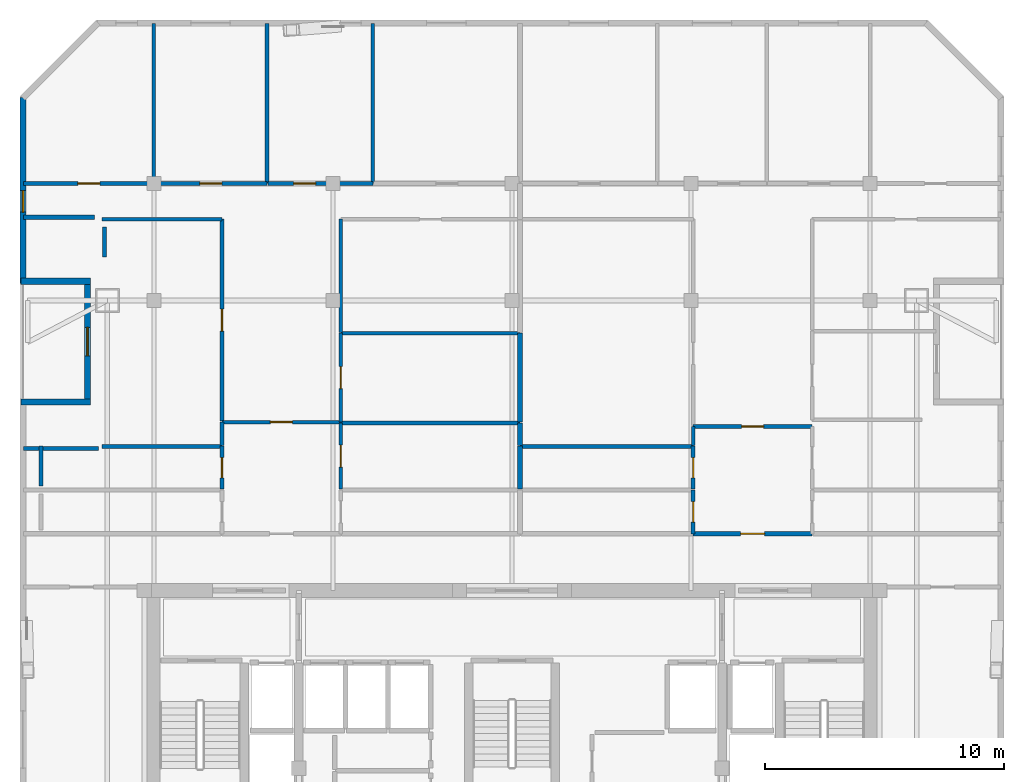
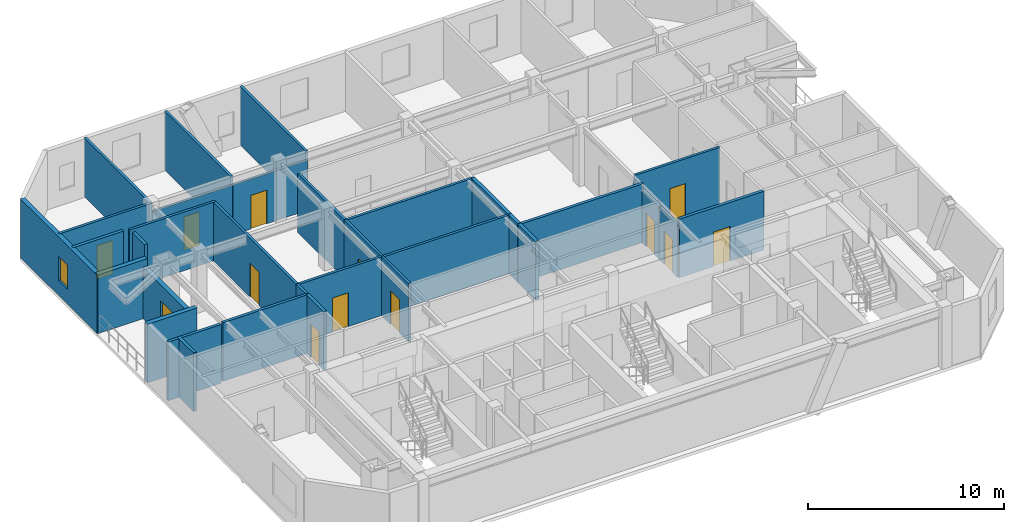
# One storey, part 4 of 7: 34 walls, 13 doors, 1 window, 14 openings.
"""IFC4 building model written with IfcOpenShell, lengths in metres."""

from ifc_helpers import new_model, si_unit, direction, frame, frame_2d, origin, place, context, subcontext, project, spatial, rectangle, extrude, material, layer, layer_set, type_object, element, fill, save


model = new_model("IFC4")

# Units and contexts
model_context = context("Model", 3, precision=1e-05, world=origin(), true_north=direction((0.0, 1.0)))
body_context = subcontext(model_context, "Body", "Model", "MODEL_VIEW")
ifc_project = project(units=[si_unit("LENGTHUNIT", "METRE"), si_unit("AREAUNIT", "SQUARE_METRE"), si_unit("VOLUMEUNIT", "CUBIC_METRE"), si_unit("PLANEANGLEUNIT", "RADIAN"), si_unit("MASSUNIT", "GRAM", prefix="KILO")], contexts=[model_context])

# Site, building, storey
site_placement = place(None, origin())
site = spatial("IfcSite", under=ifc_project, at=site_placement, CompositionType="ELEMENT")
building_placement = place(site_placement, origin())
building = spatial("IfcBuilding", under=site, at=building_placement, Name="Ventersveld Concourse Tower", CompositionType="ELEMENT")
storey_placement = place(building_placement, frame((0.0, 0.0, 268.300048828125)))
storey = spatial("IfcBuildingStorey", under=building, at=storey_placement, Name="L66", CompositionType="ELEMENT", Elevation=268.300048828125)

# Wall, opening, door
ifc_material_1 = material(Name="Fire-rated autoclaved aerated masonry blockwork", Category="masonry")
ifc_layer_1 = layer(ifc_material_1, 0.179931640625)
ifc_layer_set_1 = layer_set([ifc_layer_1], Name="Fire-rated autoclaved aerated masonry blockwork")
wall_type_1 = type_object("IfcWallType", Name="WL-CORR-180", PredefinedType="PARTITIONING", material=ifc_layer_set_1)
wall_1_placement = place(storey_placement, frame((36.333984375, 13.830078125, 0.0), z_axis=(0.0, 0.0, 1.0), x_axis=(1.0, 0.0, 0.0)))
wall_1 = element("IfcWall", 1, at=wall_1_placement, inside=storey, type_object=wall_type_1, Name="L66 Interior Partition SP-L66-COR-SP-L66-66N2-FOY", PredefinedType="PARTITIONING", context=body_context, shape_type="SweptSolid", body=[
    extrude(rectangle(XDim=4.989990234375, YDim=0.179931640625, at=frame_2d((2.4951171875, 0.0))), origin(), (0.0, 0.0, 1.0), 3.64990234375),
])
opening_1_placement = place(wall_1_placement, frame((1.9951171875, 0.0, 0.0)))
opening_1 = element("IfcOpeningElement", 2, at=opening_1_placement, cuts=wall_1, Name="Opening FD3", PredefinedType="OPENING", context=body_context, shape_type="SweptSolid", body=[
    extrude(rectangle(XDim=1.0, YDim=2.14990234375, at=frame_2d((0.5, 1.074951171875))), frame((0.0, 0.10009765625, 0.0), z_axis=(0.0, -1.0, 0.0), x_axis=(1.0, 0.0, 0.0)), (0.0, 0.0, 1.0), 0.199951171875),
])
ifc_material_2 = material(Name="Solid-core hardwood veneer timber", Category="wood")
door_type_1 = type_object("IfcDoorType", Name="DR-FLAT-100", OperationType="NOTDEFINED", PredefinedType="DOOR", material=ifc_material_2)
door_1_placement = place(opening_1_placement, origin())
door_1 = element("IfcDoor", 3, at=door_1_placement, inside=storey, type_object=door_type_1, Name="L66 Interior Door SP-L66-COR to SP-L66-66N2-FOY (FD-L66-3106)", OperationType="SINGLE_SWING_RIGHT", OverallHeight=2.14990234375, OverallWidth=1.0, PredefinedType="DOOR", context=body_context, shape_type="SweptSolid", body=[
    extrude(rectangle(XDim=1.0, YDim=2.14990234375, at=frame_2d((0.5, 1.074951171875))), frame((0.0, 0.02490234375, 0.0), z_axis=(0.0, -1.0, 0.0), x_axis=(1.0, 0.0, 0.0)), (0.0, 0.0, 1.0), 0.050048828125),
])
fill(opening_1, door_1)

# Walls
wall_2_placement = place(storey_placement, frame((11.27001953125, 27.090087890625, 0.0), z_axis=(0.0, 0.0, 1.0), x_axis=(-1.0, 0.0, 0.0)))
element("IfcWall", 4, at=wall_2_placement, inside=storey, type_object=wall_type_1, Name="L66 Room Enclosure Wall SP-L66-66N1-LIV", PredefinedType="PARTITIONING", context=body_context, shape_type="SweptSolid", body=[
    extrude(rectangle(XDim=2.980712890625, YDim=0.179931640625, at=frame_2d((1.490234375, 0.0))), origin(), (0.0, 0.0, 1.0), 3.64990234375),
])
wall_3_placement = place(storey_placement, frame((11.6796875, 25.41650390625, 0.0), z_axis=(0.0, 0.0, 1.0), x_axis=(0.0, 1.0, 0.0)))
element("IfcWall", 5, at=wall_3_placement, inside=storey, type_object=wall_type_1, Name="L66 Room Enclosure Wall SP-L66-66N1-OFFL0", PredefinedType="PARTITIONING", context=body_context, shape_type="SweptSolid", body=[
    extrude(rectangle(XDim=1.258544921875, YDim=0.179931640625, at=frame_2d((0.62939453125, 0.0))), origin(), (0.0, 0.0, 1.0), 3.64990234375),
])
ifc_layer_2 = layer(ifc_material_1, 0.199951171875)
ifc_layer_set_2 = layer_set([ifc_layer_2], Name="Fire-rated autoclaved aerated masonry blockwork")
wall_type_2 = type_object("IfcWallType", Name="WL-DEMISE-200", PredefinedType="PARTITIONING", material=ifc_layer_set_2)
wall_4_placement = place(storey_placement, frame((29.087890625, 15.695068359375, 0.0), z_axis=(0.0, 0.0, 1.0), x_axis=(0.0, 1.0, 0.0)))
element("IfcWall", 6, at=wall_4_placement, inside=storey, type_object=wall_type_2, Name="L66 Interior Partition SP-L66-66N1-MEDR1-SP-L66-66N2-PWDL2", PredefinedType="PARTITIONING", context=body_context, shape_type="SweptSolid", body=[
    extrude(rectangle(XDim=1.800048828125, YDim=0.199951171875, at=frame_2d((0.89990234375, 0.0))), origin(), (0.0, 0.0, 1.0), 3.64990234375),
])
wall_5_placement = place(storey_placement, frame((29.087890625, 17.52490234375, 0.0), z_axis=(0.0, 0.0, 1.0), x_axis=(0.0, 1.0, 0.0)))
element("IfcWall", 7, at=wall_5_placement, inside=storey, type_object=wall_type_2, Name="L66 Interior Partition SP-L66-66N1-MEDR1-SP-L66-66N2-OFFL0", PredefinedType="PARTITIONING", context=body_context, shape_type="SweptSolid", body=[
    extrude(rectangle(XDim=0.947509765625, YDim=0.199951171875, at=frame_2d((0.4736328125, 0.0))), origin(), (0.0, 0.0, 1.0), 3.64990234375),
])
wall_6_placement = place(storey_placement, frame((29.087890625, 18.50244140625, 0.0), z_axis=(0.0, 0.0, 1.0), x_axis=(0.0, 1.0, 0.0)))
element("IfcWall", 8, at=wall_6_placement, inside=storey, type_object=wall_type_2, Name="L66 Interior Partition SP-L66-66N1-DENS-SP-L66-66N2-OFFL0", PredefinedType="PARTITIONING", context=body_context, shape_type="SweptSolid", body=[
    extrude(rectangle(XDim=3.735595703125, YDim=0.199951171875, at=frame_2d((1.86767578125, 0.0))), origin(), (0.0, 0.0, 1.0), 3.64990234375),
])

# Wall, opening, door
ifc_material_3 = material(Name="Autoclaved aerated masonry blockwork", Category="masonry")
ifc_layer_3 = layer(ifc_material_3, 0.14990234375)
ifc_layer_set_3 = layer_set([ifc_layer_3], Name="Autoclaved aerated masonry blockwork")
wall_type_3 = type_object("IfcWallType", Name="WL-INT-150", PredefinedType="PARTITIONING", material=ifc_layer_set_3)
wall_7_placement = place(storey_placement, frame((16.596923828125, 18.50732421875, 0.0), z_axis=(0.0, 0.0, 1.0), x_axis=(1.0, 0.0, 0.0)))
wall_7 = element("IfcWall", 9, at=wall_7_placement, inside=storey, type_object=wall_type_3, Name="L66 Interior Partition SP-L66-66N1-FOY-SP-L66-66N1-LIV", PredefinedType="PARTITIONING", context=body_context, shape_type="SweptSolid", body=[
    extrude(rectangle(XDim=4.989990234375, YDim=0.14990234375, at=frame_2d((2.4951171875, 0.0))), origin(), (0.0, 0.0, 1.0), 3.64990234375),
])
opening_2_placement = place(wall_7_placement, frame((2.034912109375, 0.0, 0.0)))
opening_2 = element("IfcOpeningElement", 10, at=opening_2_placement, cuts=wall_7, Name="Opening ID1", PredefinedType="OPENING", context=body_context, shape_type="SweptSolid", body=[
    extrude(rectangle(XDim=0.919921875, YDim=2.10009765625, at=frame_2d((0.4599609375, 1.050048828125))), frame((0.0, 0.0849609375, 0.0), z_axis=(0.0, -1.0, 0.0), x_axis=(1.0, 0.0, 0.0)), (0.0, 0.0, 1.0), 0.169921875),
])
door_type_2 = type_object("IfcDoorType", Name="DR-ROOM-092", OperationType="NOTDEFINED", PredefinedType="DOOR", material=ifc_material_2)
door_2_placement = place(opening_2_placement, origin())
door_2 = element("IfcDoor", 11, at=door_2_placement, inside=storey, type_object=door_type_2, Name="L66 Interior Door SP-L66-66N1-FOY to SP-L66-66N1-LIV (D-L66-3107)", OperationType="SINGLE_SWING_LEFT", OverallHeight=2.10009765625, OverallWidth=0.919921875, PredefinedType="DOOR", context=body_context, shape_type="SweptSolid", body=[
    extrude(rectangle(XDim=0.919921875, YDim=2.10009765625, at=frame_2d((0.4599609375, 1.050048828125))), frame((0.0, 0.02490234375, 0.0), z_axis=(0.0, -1.0, 0.0), x_axis=(1.0, 0.0, 0.0)), (0.0, 0.0, 1.0), 0.050048828125),
])
fill(opening_2, door_2)

# Wall
wall_8_placement = place(storey_placement, frame((16.601806640625, 17.52490234375, 0.0), z_axis=(0.0, 0.0, 1.0), x_axis=(0.0, 1.0, 0.0)))
element("IfcWall", 12, at=wall_8_placement, inside=storey, type_object=wall_type_3, Name="L66 Interior Partition SP-L66-66N1-FOY-SP-L66-66N1-OFFL0", PredefinedType="PARTITIONING", context=body_context, shape_type="SweptSolid", body=[
    extrude(rectangle(XDim=0.9873046875, YDim=0.14990234375, at=frame_2d((0.49365234375, 0.0))), origin(), (0.0, 0.0, 1.0), 3.64990234375),
])

# Wall, opening, door
wall_9_placement = place(storey_placement, frame((21.581787109375, 15.695068359375, 0.0), z_axis=(0.0, 0.0, 1.0), x_axis=(0.0, 1.0, 0.0)))
wall_9 = element("IfcWall", 13, at=wall_9_placement, inside=storey, type_object=wall_type_3, Name="L66 Interior Partition SP-L66-66N1-FOY-SP-L66-66N1-MEDR1", PredefinedType="PARTITIONING", context=body_context, shape_type="SweptSolid", body=[
    extrude(rectangle(XDim=2.77734375, YDim=0.14990234375, at=frame_2d((1.388671875, 0.0))), origin(), (0.0, 0.0, 1.0), 3.64990234375),
])
opening_3_placement = place(wall_9_placement, frame((0.9287109375, 0.0, 0.0)))
opening_3 = element("IfcOpeningElement", 14, at=opening_3_placement, cuts=wall_9, Name="Opening ID1", PredefinedType="OPENING", context=body_context, shape_type="SweptSolid", body=[
    extrude(rectangle(XDim=0.919921875, YDim=2.10009765625, at=frame_2d((0.4599609375, 1.050048828125))), frame((0.0, 0.0849609375, 0.0), z_axis=(0.0, -1.0, 0.0), x_axis=(1.0, 0.0, 0.0)), (0.0, 0.0, 1.0), 0.169921875),
])
door_3_placement = place(opening_3_placement, origin())
door_3 = element("IfcDoor", 15, at=door_3_placement, inside=storey, type_object=door_type_2, Name="L66 Interior Door SP-L66-66N1-FOY to SP-L66-66N1-MEDR1 (D-L66-3111)", OperationType="SINGLE_SWING_LEFT", OverallHeight=2.10009765625, OverallWidth=0.919921875, PredefinedType="DOOR", context=body_context, shape_type="SweptSolid", body=[
    extrude(rectangle(XDim=0.919921875, YDim=2.10009765625, at=frame_2d((0.4599609375, 1.050048828125))), frame((0.0, 0.02490234375, 0.0), z_axis=(0.0, -1.0, 0.0), x_axis=(1.0, 0.0, 0.0)), (0.0, 0.0, 1.0), 0.050048828125),
])
fill(opening_3, door_3)

wall_10_placement = place(storey_placement, frame((16.601806640625, 18.542236328125, 0.0), z_axis=(0.0, 0.0, 1.0), x_axis=(0.0, 1.0, 0.0)))
wall_10 = element("IfcWall", 16, at=wall_10_placement, inside=storey, type_object=wall_type_3, Name="L66 Interior Partition SP-L66-66N1-LIV-SP-L66-66N1-OFFL0", PredefinedType="PARTITIONING", context=body_context, shape_type="SweptSolid", body=[
    extrude(rectangle(XDim=8.462646484375, YDim=0.14990234375, at=frame_2d((4.2314453125, 0.0))), origin(), (0.0, 0.0, 1.0), 3.64990234375),
])
opening_4_placement = place(wall_10_placement, frame((3.771240234375, 0.0, 0.0)))
opening_4 = element("IfcOpeningElement", 17, at=opening_4_placement, cuts=wall_10, Name="Opening ID1", PredefinedType="OPENING", context=body_context, shape_type="SweptSolid", body=[
    extrude(rectangle(XDim=0.919921875, YDim=2.10009765625, at=frame_2d((0.4599609375, 1.050048828125))), frame((0.0, 0.0849609375, 0.0), z_axis=(0.0, -1.0, 0.0), x_axis=(1.0, 0.0, 0.0)), (0.0, 0.0, 1.0), 0.169921875),
])
door_4_placement = place(opening_4_placement, origin())
door_4 = element("IfcDoor", 18, at=door_4_placement, inside=storey, type_object=door_type_2, Name="L66 Interior Door SP-L66-66N1-LIV to SP-L66-66N1-OFFL0 (D-L66-3112)", OperationType="SINGLE_SWING_RIGHT", OverallHeight=2.10009765625, OverallWidth=0.919921875, PredefinedType="DOOR", context=body_context, shape_type="SweptSolid", body=[
    extrude(rectangle(XDim=0.919921875, YDim=2.10009765625, at=frame_2d((0.4599609375, 1.050048828125))), frame((0.0, 0.02490234375, 0.0), z_axis=(0.0, -1.0, 0.0), x_axis=(1.0, 0.0, 0.0)), (0.0, 0.0, 1.0), 0.050048828125),
])
fill(opening_4, door_4)

# Wall
wall_11_placement = place(storey_placement, frame((11.584716796875, 27.0, 0.0), z_axis=(0.0, 0.0, 1.0), x_axis=(1.0, 0.0, 0.0)))
element("IfcWall", 19, at=wall_11_placement, inside=storey, type_object=wall_type_3, Name="L66 Interior Partition SP-L66-66N1-LIV-SP-L66-66N1-OFFL0", PredefinedType="PARTITIONING", context=body_context, shape_type="SweptSolid", body=[
    extrude(rectangle(XDim=5.022216796875, YDim=0.14990234375, at=frame_2d((2.51123046875, 0.0))), origin(), (0.0, 0.0, 1.0), 3.64990234375),
])

# Wall, opening, door
wall_12_placement = place(storey_placement, frame((21.581787109375, 18.50244140625, 0.0), z_axis=(0.0, 0.0, 1.0), x_axis=(0.0, 1.0, 0.0)))
wall_12 = element("IfcWall", 20, at=wall_12_placement, inside=storey, type_object=wall_type_3, Name="L66 Interior Partition SP-L66-66N1-LIV-SP-L66-66N1-DENS", PredefinedType="PARTITIONING", context=body_context, shape_type="SweptSolid", body=[
    extrude(rectangle(XDim=3.735595703125, YDim=0.14990234375, at=frame_2d((1.86767578125, 0.0))), origin(), (0.0, 0.0, 1.0), 3.64990234375),
])
opening_5_placement = place(wall_12_placement, frame((1.40771484375, 0.0, 0.0)))
opening_5 = element("IfcOpeningElement", 21, at=opening_5_placement, cuts=wall_12, Name="Opening ID1", PredefinedType="OPENING", context=body_context, shape_type="SweptSolid", body=[
    extrude(rectangle(XDim=0.919921875, YDim=2.10009765625, at=frame_2d((0.4599609375, 1.050048828125))), frame((0.0, 0.0849609375, 0.0), z_axis=(0.0, -1.0, 0.0), x_axis=(1.0, 0.0, 0.0)), (0.0, 0.0, 1.0), 0.169921875),
])
door_5_placement = place(opening_5_placement, origin())
door_5 = element("IfcDoor", 22, at=door_5_placement, inside=storey, type_object=door_type_2, Name="L66 Interior Door SP-L66-66N1-LIV to SP-L66-66N1-DENS (D-L66-3113)", OperationType="SINGLE_SWING_LEFT", OverallHeight=2.10009765625, OverallWidth=0.919921875, PredefinedType="DOOR", context=body_context, shape_type="SweptSolid", body=[
    extrude(rectangle(XDim=0.919921875, YDim=2.10009765625, at=frame_2d((0.4599609375, 1.050048828125))), frame((0.0, 0.02490234375, 0.0), z_axis=(0.0, -1.0, 0.0), x_axis=(1.0, 0.0, 0.0)), (0.0, 0.0, 1.0), 0.050048828125),
])
fill(opening_5, door_5)

# Wall
wall_13_placement = place(storey_placement, frame((21.581787109375, 22.26806640625, 0.0), z_axis=(0.0, 0.0, 1.0), x_axis=(0.0, 1.0, 0.0)))
element("IfcWall", 23, at=wall_13_placement, inside=storey, type_object=wall_type_3, Name="L66 Interior Partition SP-L66-66N1-LIV-SP-L66-66N1-DENS2", PredefinedType="PARTITIONING", context=body_context, shape_type="SweptSolid", body=[
    extrude(rectangle(XDim=4.73681640625, YDim=0.14990234375, at=frame_2d((2.368408203125, 0.0))), origin(), (0.0, 0.0, 1.0), 3.64990234375),
])

# Wall, opening, door
wall_14_placement = place(storey_placement, frame((8.289306640625, 28.5, 0.0), z_axis=(0.0, 0.0, 1.0), x_axis=(1.0, 0.0, 0.0)))
wall_14 = element("IfcWall", 24, at=wall_14_placement, inside=storey, type_object=wall_type_3, Name="L66 Interior Partition SP-L66-66N1-LIV-SP-L66-66N1-BR1", PredefinedType="PARTITIONING", context=body_context, shape_type="SweptSolid", body=[
    extrude(rectangle(XDim=5.465576171875, YDim=0.14990234375, at=frame_2d((2.73291015625, 0.0))), origin(), (0.0, 0.0, 1.0), 3.64990234375),
])
opening_6_placement = place(wall_14_placement, frame((2.27294921875, 0.0, 0.0)))
opening_6 = element("IfcOpeningElement", 25, at=opening_6_placement, cuts=wall_14, Name="Opening ID1", PredefinedType="OPENING", context=body_context, shape_type="SweptSolid", body=[
    extrude(rectangle(XDim=0.919921875, YDim=2.10009765625, at=frame_2d((0.4599609375, 1.050048828125))), frame((0.0, 0.0849609375, 0.0), z_axis=(0.0, -1.0, 0.0), x_axis=(1.0, 0.0, 0.0)), (0.0, 0.0, 1.0), 0.169921875),
])
door_6_placement = place(opening_6_placement, origin())
door_6 = element("IfcDoor", 26, at=door_6_placement, inside=storey, type_object=door_type_2, Name="L66 Interior Door SP-L66-66N1-LIV to SP-L66-66N1-BR1 (D-L66-3115)", OperationType="SINGLE_SWING_LEFT", OverallHeight=2.10009765625, OverallWidth=0.919921875, PredefinedType="DOOR", context=body_context, shape_type="SweptSolid", body=[
    extrude(rectangle(XDim=0.919921875, YDim=2.10009765625, at=frame_2d((0.4599609375, 1.050048828125))), frame((0.0, 0.02490234375, 0.0), z_axis=(0.0, -1.0, 0.0), x_axis=(1.0, 0.0, 0.0)), (0.0, 0.0, 1.0), 0.050048828125),
])
fill(opening_6, door_6)

wall_15_placement = place(storey_placement, frame((13.784912109375, 28.5, 0.0), z_axis=(0.0, 0.0, 1.0), x_axis=(1.0, 0.0, 0.0)))
wall_15 = element("IfcWall", 27, at=wall_15_placement, inside=storey, type_object=wall_type_3, Name="L66 Interior Partition SP-L66-66N1-LIV-SP-L66-66N1-BR2", PredefinedType="PARTITIONING", context=body_context, shape_type="SweptSolid", body=[
    extrude(rectangle(XDim=4.705810546875, YDim=0.14990234375, at=frame_2d((2.35302734375, 0.0))), origin(), (0.0, 0.0, 1.0), 3.10546875),
])
opening_7_placement = place(wall_15_placement, frame((1.892822265625, 0.0, 0.0)))
opening_7 = element("IfcOpeningElement", 28, at=opening_7_placement, cuts=wall_15, Name="Opening ID1", PredefinedType="OPENING", context=body_context, shape_type="SweptSolid", body=[
    extrude(rectangle(XDim=0.919921875, YDim=2.10009765625, at=frame_2d((0.4599609375, 1.050048828125))), frame((0.0, 0.0849609375, 0.0), z_axis=(0.0, -1.0, 0.0), x_axis=(1.0, 0.0, 0.0)), (0.0, 0.0, 1.0), 0.169921875),
])
door_7_placement = place(opening_7_placement, origin())
door_7 = element("IfcDoor", 29, at=door_7_placement, inside=storey, type_object=door_type_2, Name="L66 Interior Door SP-L66-66N1-LIV to SP-L66-66N1-BR2 (D-L66-3116)", OperationType="SINGLE_SWING_RIGHT", OverallHeight=2.10009765625, OverallWidth=0.919921875, PredefinedType="DOOR", context=body_context, shape_type="SweptSolid", body=[
    extrude(rectangle(XDim=0.919921875, YDim=2.10009765625, at=frame_2d((0.4599609375, 1.050048828125))), frame((0.0, 0.02490234375, 0.0), z_axis=(0.0, -1.0, 0.0), x_axis=(1.0, 0.0, 0.0)), (0.0, 0.0, 1.0), 0.050048828125),
])
fill(opening_7, door_7)

wall_16_placement = place(storey_placement, frame((18.520751953125, 28.5, 0.0), z_axis=(0.0, 0.0, 1.0), x_axis=(1.0, 0.0, 0.0)))
wall_16 = element("IfcWall", 30, at=wall_16_placement, inside=storey, type_object=wall_type_3, Name="L66 Interior Partition SP-L66-66N1-LIV-SP-L66-66N1-BR3", PredefinedType="PARTITIONING", context=body_context, shape_type="SweptSolid", body=[
    extrude(rectangle(XDim=4.402099609375, YDim=0.14990234375, at=frame_2d((2.201171875, 0.0))), origin(), (0.0, 0.0, 1.0), 3.10546875),
])
opening_8_placement = place(wall_16_placement, frame((1.080810546875, 0.0, 0.0)))
opening_8 = element("IfcOpeningElement", 31, at=opening_8_placement, cuts=wall_16, Name="Opening ID1", PredefinedType="OPENING", context=body_context, shape_type="SweptSolid", body=[
    extrude(rectangle(XDim=0.919921875, YDim=2.10009765625, at=frame_2d((0.4599609375, 1.050048828125))), frame((0.0, 0.0849609375, 0.0), z_axis=(0.0, -1.0, 0.0), x_axis=(1.0, 0.0, 0.0)), (0.0, 0.0, 1.0), 0.169921875),
])
door_8_placement = place(opening_8_placement, origin())
door_8 = element("IfcDoor", 32, at=door_8_placement, inside=storey, type_object=door_type_2, Name="L66 Interior Door SP-L66-66N1-LIV to SP-L66-66N1-BR3 (D-L66-3117)", OperationType="SINGLE_SWING_LEFT", OverallHeight=2.10009765625, OverallWidth=0.919921875, PredefinedType="DOOR", context=body_context, shape_type="SweptSolid", body=[
    extrude(rectangle(XDim=0.919921875, YDim=2.10009765625, at=frame_2d((0.4599609375, 1.050048828125))), frame((0.0, 0.02490234375, 0.0), z_axis=(0.0, -1.0, 0.0), x_axis=(1.0, 0.0, 0.0)), (0.0, 0.0, 1.0), 0.050048828125),
])
fill(opening_8, door_8)

# Walls
for number, where, z_axis, x_axis, name in (
    (33, (21.576904296875, 18.467529296875, 0.0), (0.0, 0.0, 1.0), (1.0, 0.0, 0.0), "L66 Interior Partition SP-L66-66N1-MEDR1-SP-L66-66N1-DENS"),
    (34, (21.576904296875, 22.233154296875, 0.0), (0.0, 0.0, 1.0), (1.0, 0.0, 0.0), "L66 Interior Partition SP-L66-66N1-DENS-SP-L66-66N1-DENS2"),
):
    element("IfcWall", number, at=place(storey_placement, frame(where, z_axis=z_axis, x_axis=x_axis)), inside=storey, type_object=wall_type_3, Name=name, PredefinedType="PARTITIONING", context=body_context, shape_type="SweptSolid", body=[
        extrude(rectangle(XDim=7.515869140625, YDim=0.14990234375, at=frame_2d((3.7578125, 0.0))), origin(), (0.0, 0.0, 1.0), 3.64990234375),
    ])
for number, where, z_axis, x_axis, name in (
    (35, (13.75, 28.4951171875, 0.0), (0.0, 0.0, 1.0), (0.0, 1.0, 0.0), "L66 Interior Partition SP-L66-66N1-BR1-SP-L66-66N1-BR2"),
    (36, (18.48583984375, 28.4951171875, 0.0), (0.0, 0.0, 1.0), (0.0, 1.0, 0.0), "L66 Interior Partition SP-L66-66N1-BR2-SP-L66-66N1-BR3"),
    (37, (22.91796875, 28.4951171875, 0.0), (0.0, 0.0, 1.0), (0.0, 1.0, 0.0), "L66 Interior Partition SP-L66-66N1-BR3-SP-L66-66N1-BR4"),
):
    element("IfcWall", number, at=place(storey_placement, frame(where, z_axis=z_axis, x_axis=x_axis)), inside=storey, type_object=wall_type_3, Name=name, PredefinedType="PARTITIONING", context=body_context, shape_type="SweptSolid", body=[
        extrude(rectangle(XDim=6.704833984375, YDim=0.14990234375, at=frame_2d((3.3525390625, 0.0))), origin(), (0.0, 0.0, 1.0), 3.64990234375),
    ])

# Wall, opening, door
wall_17_placement = place(storey_placement, frame((36.333984375, 18.321533203125, 0.0), z_axis=(0.0, 0.0, 1.0), x_axis=(1.0, 0.0, 0.0)))
wall_17 = element("IfcWall", 38, at=wall_17_placement, inside=storey, type_object=wall_type_3, Name="L66 Interior Partition SP-L66-66N2-FOY-SP-L66-66N2-LIV", PredefinedType="PARTITIONING", context=body_context, shape_type="SweptSolid", body=[
    extrude(rectangle(XDim=4.989990234375, YDim=0.14990234375, at=frame_2d((2.4951171875, 0.0))), origin(), (0.0, 0.0, 1.0), 3.64990234375),
])
opening_9_placement = place(wall_17_placement, frame((2.034912109375, 0.0, 0.0)))
opening_9 = element("IfcOpeningElement", 39, at=opening_9_placement, cuts=wall_17, Name="Opening ID1", PredefinedType="OPENING", context=body_context, shape_type="SweptSolid", body=[
    extrude(rectangle(XDim=0.919921875, YDim=2.10009765625, at=frame_2d((0.4599609375, 1.050048828125))), frame((0.0, 0.0849609375, 0.0), z_axis=(0.0, -1.0, 0.0), x_axis=(1.0, 0.0, 0.0)), (0.0, 0.0, 1.0), 0.169921875),
])
door_9_placement = place(opening_9_placement, origin())
door_9 = element("IfcDoor", 40, at=door_9_placement, inside=storey, type_object=door_type_2, Name="L66 Interior Door SP-L66-66N2-FOY to SP-L66-66N2-LIV (D-L66-3119)", OperationType="SINGLE_SWING_LEFT", OverallHeight=2.10009765625, OverallWidth=0.919921875, PredefinedType="DOOR", context=body_context, shape_type="SweptSolid", body=[
    extrude(rectangle(XDim=0.919921875, YDim=2.10009765625, at=frame_2d((0.4599609375, 1.050048828125))), frame((0.0, 0.02490234375, 0.0), z_axis=(0.0, -1.0, 0.0), x_axis=(1.0, 0.0, 0.0)), (0.0, 0.0, 1.0), 0.050048828125),
])
fill(opening_9, door_9)

# Wall
wall_18_placement = place(storey_placement, frame((36.339111328125, 17.52490234375, 0.0), z_axis=(0.0, 0.0, 1.0), x_axis=(0.0, 1.0, 0.0)))
element("IfcWall", 41, at=wall_18_placement, inside=storey, type_object=wall_type_3, Name="L66 Interior Partition SP-L66-66N2-FOY-SP-L66-66N2-OFFL0", PredefinedType="PARTITIONING", context=body_context, shape_type="SweptSolid", body=[
    extrude(rectangle(XDim=0.801513671875, YDim=0.14990234375, at=frame_2d((0.40087890625, 0.0))), origin(), (0.0, 0.0, 1.0), 3.294921875),
])

# Wall, opening, window
ifc_material_4 = material(Name="Precast concrete C45/55", Category="concrete")
ifc_layer_4 = layer(ifc_material_4, 0.260009765625)
ifc_layer_set_4 = layer_set([ifc_layer_4], Name="Precast concrete C45/55")
wall_type_4 = type_object("IfcWallType", Name="WL-PREC-260", PredefinedType="SOLIDWALL", material=ifc_layer_set_4)
wall_19_placement = place(storey_placement, frame((8.269775390625, 32.109375, 0.0), z_axis=(0.0, 0.0, 1.0), x_axis=(0.0, -1.0, 0.0)))
wall_19 = element("IfcWall", 42, at=wall_19_placement, inside=storey, type_object=wall_type_4, Name="L66 Highveld Precast Facade Wall E11", PredefinedType="SOLIDWALL", context=body_context, shape_type="SweptSolid", body=[
    extrude(rectangle(XDim=7.794677734375, YDim=0.260009765625, at=frame_2d((3.8974609375, 0.0))), origin(), (0.0, 0.0, 1.0), 3.64990234375),
])
opening_10_placement = place(wall_19_placement, frame((3.909423828125, 0.0, 0.949951171875)))
opening_10 = element("IfcOpeningElement", 43, at=opening_10_placement, cuts=wall_19, Name="Opening W4", PredefinedType="OPENING", context=body_context, shape_type="SweptSolid", body=[
    extrude(rectangle(XDim=0.89990234375, YDim=1.5, at=frame_2d((0.449951171875, 0.75))), frame((0.0, 0.14013671875, 0.0), z_axis=(0.0, -1.0, 0.0), x_axis=(1.0, 0.0, 0.0)), (0.0, 0.0, 1.0), 0.280029296875),
])
ifc_material_5 = material(Name="Tempered acoustic Low-E IGU", Category="glass")
window_type = type_object("IfcWindowType", Name="WIN-090x150", PartitioningType="SINGLE_PANEL", PredefinedType="WINDOW", material=ifc_material_5)
window_placement = place(opening_10_placement, origin())
window = element("IfcWindow", 44, at=window_placement, inside=storey, type_object=window_type, Name="L66 Punched Low-E Window W-0937", OverallHeight=1.5, OverallWidth=0.89990234375, PartitioningType="SINGLE_PANEL", PredefinedType="WINDOW", context=body_context, shape_type="SweptSolid", body=[
    extrude(rectangle(XDim=0.89990234375, YDim=1.5, at=frame_2d((0.449951171875, 0.75))), frame((0.0, 0.030029296875, 0.0), z_axis=(0.0, -1.0, 0.0), x_axis=(1.0, 0.0, 0.0)), (0.0, 0.0, 1.0), 0.06005859375),
])
fill(opening_10, window)

# Wall
wall_20_placement = place(storey_placement, frame((8.1796875, 24.40478515625, 0.0), z_axis=(0.0, 0.0, 1.0), x_axis=(1.0, 0.0, 0.0)))
element("IfcWall", 45, at=wall_20_placement, inside=storey, type_object=wall_type_4, Name="L66 Highveld Precast Facade Wall E12", PredefinedType="SOLIDWALL", context=body_context, shape_type="SweptSolid", body=[
    extrude(rectangle(XDim=2.920166015625, YDim=0.260009765625, at=frame_2d((1.4599609375, 0.0))), origin(), (0.0, 0.0, 1.0), 3.64990234375),
])

# Wall, opening, door
wall_21_placement = place(storey_placement, frame((10.9697265625, 24.274658203125, 0.0), z_axis=(0.0, 0.0, 1.0), x_axis=(0.0, -1.0, 0.0)))
wall_21 = element("IfcWall", 46, at=wall_21_placement, inside=storey, type_object=wall_type_4, Name="L66 Highveld Precast Facade Wall E13", PredefinedType="SOLIDWALL", context=body_context, shape_type="SweptSolid", body=[
    extrude(rectangle(XDim=4.800048828125, YDim=0.260009765625, at=frame_2d((2.39990234375, 0.0))), origin(), (0.0, 0.0, 1.0), 3.18994140625),
])
opening_11_placement = place(wall_21_placement, frame((1.800048828125, 0.0, 0.0)))
opening_11 = element("IfcOpeningElement", 47, at=opening_11_placement, cuts=wall_21, Name="Opening TD1", PredefinedType="OPENING", context=body_context, shape_type="SweptSolid", body=[
    extrude(rectangle(XDim=1.199951171875, YDim=2.199951171875, at=frame_2d((0.60009765625, 1.10009765625))), frame((0.0, 0.14013671875, 0.0), z_axis=(0.0, -1.0, 0.0), x_axis=(1.0, 0.0, 0.0)), (0.0, 0.0, 1.0), 0.280029296875),
])
ifc_material_6 = material(Name="Anodised aluminium EN AW-6063-T6", Category="aluminium")
door_type_3 = type_object("IfcDoorType", Name="DR-TERR-120", OperationType="NOTDEFINED", PredefinedType="DOOR", material=ifc_material_6)
door_10_placement = place(opening_11_placement, frame((1.199951171875, 0.0, 0.0), z_axis=(0.0, 0.0, 1.0), x_axis=(-1.0, 0.0, 0.0)))
door_10 = element("IfcDoor", 48, at=door_10_placement, inside=storey, type_object=door_type_3, Name="L66 Stepped Valley Terrace Door TD-L66-01", OperationType="SINGLE_SWING_LEFT", OverallHeight=2.199951171875, OverallWidth=1.199951171875, PredefinedType="DOOR", context=body_context, shape_type="SweptSolid", body=[
    extrude(rectangle(XDim=1.199951171875, YDim=2.199951171875, at=frame_2d((0.60009765625, 1.10009765625))), frame((0.0, 0.02490234375, 0.0), z_axis=(0.0, -1.0, 0.0), x_axis=(1.0, 0.0, 0.0)), (0.0, 0.0, 1.0), 0.050048828125),
])
fill(opening_11, door_10)

# Wall
wall_22_placement = place(storey_placement, frame((11.099853515625, 19.3447265625, 0.0), z_axis=(0.0, 0.0, 1.0), x_axis=(-1.0, 0.0, 0.0)))
element("IfcWall", 49, at=wall_22_placement, inside=storey, type_object=wall_type_4, Name="L66 Highveld Precast Facade Wall E14", PredefinedType="SOLIDWALL", context=body_context, shape_type="SweptSolid", body=[
    extrude(rectangle(XDim=2.920166015625, YDim=0.260009765625, at=frame_2d((1.4599609375, 0.0))), origin(), (0.0, 0.0, 1.0), 3.64990234375),
])

# Wall, opening, door
ifc_layer_5 = layer(ifc_material_3, 0.1650390625)
ifc_layer_set_5 = layer_set([ifc_layer_5], Name="Autoclaved aerated masonry blockwork")
wall_type_5 = type_object("IfcWallType", Name="WL-WET-165", PredefinedType="PLUMBINGWALL", material=ifc_layer_set_5)
wall_23_placement = place(storey_placement, frame((16.601806640625, 15.695068359375, 0.0), z_axis=(0.0, 0.0, 1.0), x_axis=(0.0, 1.0, 0.0)))
wall_23 = element("IfcWall", 50, at=wall_23_placement, inside=storey, type_object=wall_type_5, Name="L66 Interior Partition SP-L66-66N1-FOY-SP-L66-66N1-PWDL2", PredefinedType="PLUMBINGWALL", context=body_context, shape_type="SweptSolid", body=[
    extrude(rectangle(XDim=1.800048828125, YDim=0.1650390625, at=frame_2d((0.89990234375, 0.0))), origin(), (0.0, 0.0, 1.0), 3.64990234375),
])
opening_12_placement = place(wall_23_placement, frame((0.47509765625, 0.0, 0.0)))
opening_12 = element("IfcOpeningElement", 51, at=opening_12_placement, cuts=wall_23, Name="Opening ID2", PredefinedType="OPENING", context=body_context, shape_type="SweptSolid", body=[
    extrude(rectangle(XDim=0.85009765625, YDim=2.10009765625, at=frame_2d((0.425048828125, 1.050048828125))), frame((0.0, 0.092529296875, 0.0), z_axis=(0.0, -1.0, 0.0), x_axis=(1.0, 0.0, 0.0)), (0.0, 0.0, 1.0), 0.18505859375),
])
door_type_4 = type_object("IfcDoorType", Name="DR-BATH-085", OperationType="NOTDEFINED", PredefinedType="DOOR", material=ifc_material_2)
door_11_placement = place(opening_12_placement, origin())
door_11 = element("IfcDoor", 52, at=door_11_placement, inside=storey, type_object=door_type_4, Name="L66 Interior Door SP-L66-66N1-FOY to SP-L66-66N1-PWDL2 (D-L66-3109)", OperationType="SINGLE_SWING_LEFT", OverallHeight=2.10009765625, OverallWidth=0.85009765625, PredefinedType="DOOR", context=body_context, shape_type="SweptSolid", body=[
    extrude(rectangle(XDim=0.85009765625, YDim=2.10009765625, at=frame_2d((0.425048828125, 1.050048828125))), frame((0.0, 0.02490234375, 0.0), z_axis=(0.0, -1.0, 0.0), x_axis=(1.0, 0.0, 0.0)), (0.0, 0.0, 1.0), 0.050048828125),
])
fill(opening_12, door_11)

# Wall
wall_24_placement = place(storey_placement, frame((11.584716796875, 17.489990234375, 0.0), z_axis=(0.0, 0.0, 1.0), x_axis=(1.0, 0.0, 0.0)))
element("IfcWall", 53, at=wall_24_placement, inside=storey, type_object=wall_type_5, Name="L66 Interior Partition SP-L66-66N1-PWDL2-SP-L66-66N1-OFFL0", PredefinedType="PLUMBINGWALL", context=body_context, shape_type="SweptSolid", body=[
    extrude(rectangle(XDim=5.022216796875, YDim=0.1650390625, at=frame_2d((2.51123046875, 0.0))), origin(), (0.0, 0.0, 1.0), 3.64990234375),
])

# Wall, opening, door
wall_25_placement = place(storey_placement, frame((36.339111328125, 13.824951171875, 0.0), z_axis=(0.0, 0.0, 1.0), x_axis=(0.0, 1.0, 0.0)))
wall_25 = element("IfcWall", 54, at=wall_25_placement, inside=storey, type_object=wall_type_5, Name="L66 Interior Partition SP-L66-66N2-FOY-SP-L66-66N2-BATH", PredefinedType="PLUMBINGWALL", context=body_context, shape_type="SweptSolid", body=[
    extrude(rectangle(XDim=1.840087890625, YDim=0.1650390625, at=frame_2d((0.919921875, 0.0))), origin(), (0.0, 0.0, 1.0), 3.294921875),
])
opening_13_placement = place(wall_25_placement, frame((0.4951171875, 0.0, 0.0)))
opening_13 = element("IfcOpeningElement", 55, at=opening_13_placement, cuts=wall_25, Name="Opening ID2", PredefinedType="OPENING", context=body_context, shape_type="SweptSolid", body=[
    extrude(rectangle(XDim=0.85009765625, YDim=2.10009765625, at=frame_2d((0.425048828125, 1.050048828125))), frame((0.0, 0.092529296875, 0.0), z_axis=(0.0, -1.0, 0.0), x_axis=(1.0, 0.0, 0.0)), (0.0, 0.0, 1.0), 0.18505859375),
])
door_12_placement = place(opening_13_placement, origin())
door_12 = element("IfcDoor", 56, at=door_12_placement, inside=storey, type_object=door_type_4, Name="L66 Interior Door SP-L66-66N2-FOY to SP-L66-66N2-BATH (D-L66-3120)", OperationType="SINGLE_SWING_RIGHT", OverallHeight=2.10009765625, OverallWidth=0.85009765625, PredefinedType="DOOR", context=body_context, shape_type="SweptSolid", body=[
    extrude(rectangle(XDim=0.85009765625, YDim=2.10009765625, at=frame_2d((0.425048828125, 1.050048828125))), frame((0.0, 0.02490234375, 0.0), z_axis=(0.0, -1.0, 0.0), x_axis=(1.0, 0.0, 0.0)), (0.0, 0.0, 1.0), 0.050048828125),
])
fill(opening_13, door_12)

wall_26_placement = place(storey_placement, frame((36.339111328125, 15.695068359375, 0.0), z_axis=(0.0, 0.0, 1.0), x_axis=(0.0, 1.0, 0.0)))
wall_26 = element("IfcWall", 57, at=wall_26_placement, inside=storey, type_object=wall_type_5, Name="L66 Interior Partition SP-L66-66N2-FOY-SP-L66-66N2-PWDL2", PredefinedType="PLUMBINGWALL", context=body_context, shape_type="SweptSolid", body=[
    extrude(rectangle(XDim=1.800048828125, YDim=0.1650390625, at=frame_2d((0.89990234375, 0.0))), origin(), (0.0, 0.0, 1.0), 3.294921875),
])
opening_14_placement = place(wall_26_placement, frame((0.47509765625, 0.0, 0.0)))
opening_14 = element("IfcOpeningElement", 58, at=opening_14_placement, cuts=wall_26, Name="Opening ID2", PredefinedType="OPENING", context=body_context, shape_type="SweptSolid", body=[
    extrude(rectangle(XDim=0.85009765625, YDim=2.10009765625, at=frame_2d((0.425048828125, 1.050048828125))), frame((0.0, 0.092529296875, 0.0), z_axis=(0.0, -1.0, 0.0), x_axis=(1.0, 0.0, 0.0)), (0.0, 0.0, 1.0), 0.18505859375),
])
door_13_placement = place(opening_14_placement, origin())
door_13 = element("IfcDoor", 59, at=door_13_placement, inside=storey, type_object=door_type_4, Name="L66 Interior Door SP-L66-66N2-FOY to SP-L66-66N2-PWDL2 (D-L66-3121)", OperationType="SINGLE_SWING_LEFT", OverallHeight=2.10009765625, OverallWidth=0.85009765625, PredefinedType="DOOR", context=body_context, shape_type="SweptSolid", body=[
    extrude(rectangle(XDim=0.85009765625, YDim=2.10009765625, at=frame_2d((0.425048828125, 1.050048828125))), frame((0.0, 0.02490234375, 0.0), z_axis=(0.0, -1.0, 0.0), x_axis=(1.0, 0.0, 0.0)), (0.0, 0.0, 1.0), 0.050048828125),
])
fill(opening_14, door_13)

# Walls
wall_27_placement = place(storey_placement, frame((29.082763671875, 17.489990234375, 0.0), z_axis=(0.0, 0.0, 1.0), x_axis=(1.0, 0.0, 0.0)))
element("IfcWall", 60, at=wall_27_placement, inside=storey, type_object=wall_type_5, Name="L66 Interior Partition SP-L66-66N2-PWDL2-SP-L66-66N2-OFFL0", PredefinedType="PLUMBINGWALL", context=body_context, shape_type="SweptSolid", body=[
    extrude(rectangle(XDim=7.26123046875, YDim=0.1650390625, at=frame_2d((3.630615234375, 0.0))), origin(), (0.0, 0.0, 1.0), 3.64990234375),
])
wall_28_placement = place(storey_placement, frame((8.289306640625, 17.39990234375, 0.0), z_axis=(0.0, 0.0, 1.0), x_axis=(1.0, 0.0, 0.0)))
element("IfcWall", 61, at=wall_28_placement, inside=storey, type_object=wall_type_5, Name="L66 Room Enclosure Wall SP-L66-66N1-PWDL2", PredefinedType="PLUMBINGWALL", context=body_context, shape_type="SweptSolid", body=[
    extrude(rectangle(XDim=3.14697265625, YDim=0.1650390625, at=frame_2d((1.573486328125, 0.0))), origin(), (0.0, 0.0, 1.0), 3.64990234375),
])
wall_29_placement = place(storey_placement, frame((9.019775390625, 15.824951171875, 0.0), z_axis=(0.0, 0.0, 1.0), x_axis=(0.0, 1.0, 0.0)))
element("IfcWall", 62, at=wall_29_placement, inside=storey, type_object=wall_type_5, Name="L66 Room Enclosure Wall SP-L66-66N1-PWDL2", PredefinedType="PLUMBINGWALL", context=body_context, shape_type="SweptSolid", body=[
    extrude(rectangle(XDim=1.670166015625, YDim=0.1650390625, at=frame_2d((0.8349609375, 0.0))), origin(), (0.0, 0.0, 1.0), 3.64990234375),
])

save(model, "model.ifc")
